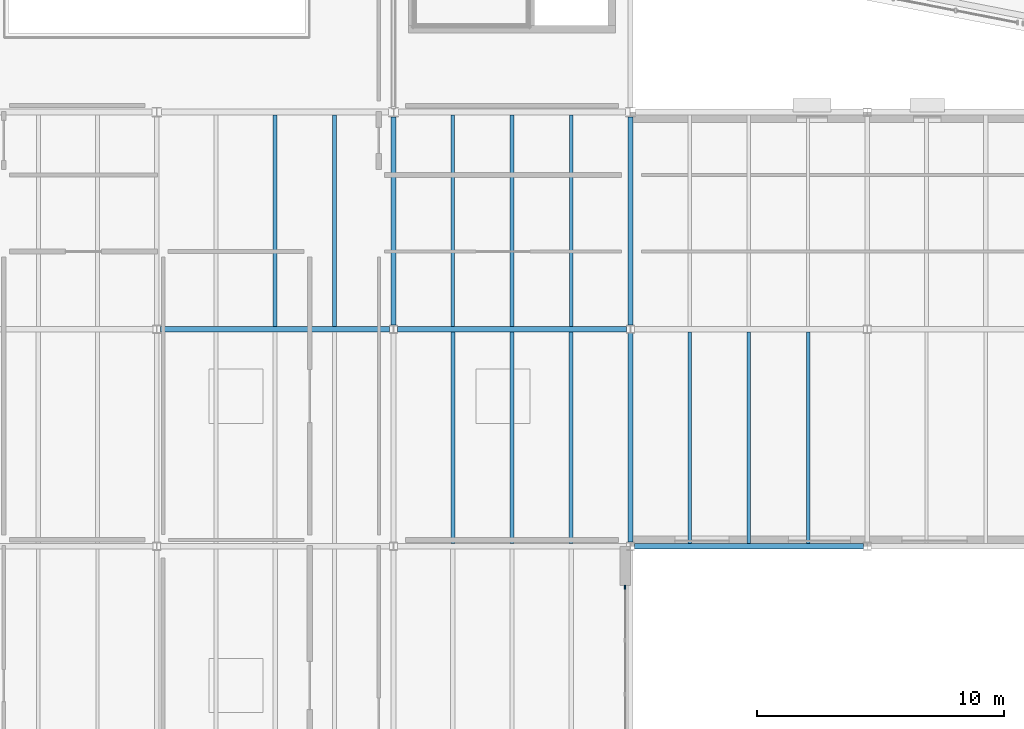
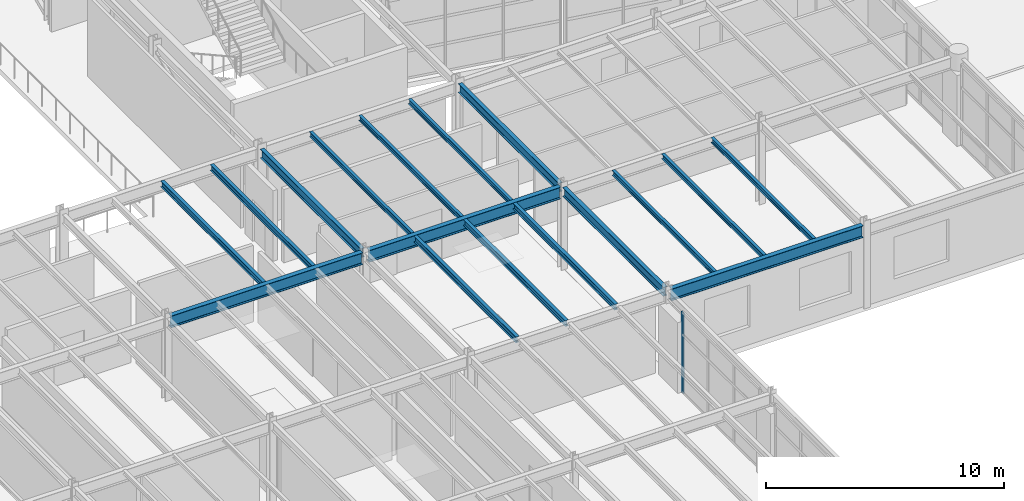
# One storey, part 27 of 77: 17 beams, 1 member, 1 element without a shape of its own.
"""IFC4 building model written with IfcOpenShell, lengths in metres."""

from ifc_helpers import new_model, si_unit, direction, frame, origin, origin_2d, place, context, subcontext, project, spatial, rectangle, i_section, extrude, material, material_profile, profile_set, type_object, element, aggregate, save


model = new_model("IFC4")

# Units and contexts
model_context = context("Model", 3, precision=1e-05, world=origin(), true_north=direction((0.0, 1.0)))
body_context = subcontext(model_context, "Body", "Model", "MODEL_VIEW")
ifc_project = project(units=[si_unit("LENGTHUNIT", "METRE"), si_unit("AREAUNIT", "SQUARE_METRE"), si_unit("VOLUMEUNIT", "CUBIC_METRE"), si_unit("PLANEANGLEUNIT", "RADIAN"), si_unit("MASSUNIT", "GRAM", prefix="KILO")], contexts=[model_context])

# Site, building, storey
site_placement = place(None, origin())
site = spatial("IfcSite", under=ifc_project, at=site_placement, CompositionType="ELEMENT")
building_placement = place(site_placement, origin())
building = spatial("IfcBuilding", under=site, at=building_placement, Name="Sarnbrook Museum", CompositionType="ELEMENT")
storey_placement = place(building_placement, frame((0.0, 0.0, 5.60009765625)))
storey = spatial("IfcBuildingStorey", under=building, at=storey_placement, Name="L01", CompositionType="ELEMENT", Elevation=5.60009765625)

# Beams
ifc_material_1 = material(Name="Structural Steel Grade 300PLUS (AS/NZS 3679.1, fy = 280 MPa for 17 < t <= 40 mm, 300 MPa for t <= 17 mm)", Category="steel")
ifc_material_profile_1 = material_profile(ifc_material_1, i_section(OverallWidth=0.18994140625, OverallDepth=0.45703125, WebThickness=0.009033203125, FlangeThickness=0.014404296875, FilletRadius=0.011474609375, at=origin_2d()), Name="460UB74.6")
ifc_profile_set_1 = profile_set([ifc_material_profile_1], Name="Structural Steel Grade 300PLUS (AS/NZS 3679.1, fy = 280 MPa for 17 < t <= 40 mm, 300 MPa for t <= 17 mm)")
beam_type_1 = type_object("IfcBeamType", Name="BM-UB460", PredefinedType="BEAM", material=ifc_profile_set_1)
beam_1_placement = place(storey_placement, frame((109.60009765625, 48.16357421875, 4.021484375), z_axis=(0.0, 1.0, 0.0), x_axis=(-1.0, 0.0, 0.0)))
element("IfcBeam", 1, at=beam_1_placement, inside=storey, type_object=beam_type_1, Name="Girder 12:F-G L01", PredefinedType="BEAM", context=body_context, shape_type="SweptSolid", body=[
    extrude(i_section(OverallWidth=0.18994140625, OverallDepth=0.45703125, WebThickness=0.009033203125, FlangeThickness=0.014404296875, FilletRadius=0.011474609375, at=origin_2d()), origin(), (0.0, 0.0, 1.0), 8.4453125),
])
beam_2_placement = place(storey_placement, frame((119.199951171875, 39.363525390625, 4.021484375), z_axis=(0.0, 1.0, 0.0), x_axis=(-1.0, 0.0, 0.0)))
element("IfcBeam", 2, at=beam_2_placement, inside=storey, type_object=beam_type_1, Name="Girder 13:E-F L01", PredefinedType="BEAM", context=body_context, shape_type="SweptSolid", body=[
    extrude(i_section(OverallWidth=0.18994140625, OverallDepth=0.45703125, WebThickness=0.009033203125, FlangeThickness=0.014404296875, FilletRadius=0.011474609375, at=origin_2d()), origin(), (0.0, 0.0, 1.0), 8.472900390625),
])
beam_3_placement = place(storey_placement, frame((119.199951171875, 48.16357421875, 4.021484375), z_axis=(0.0, 1.0, 0.0), x_axis=(-1.0, 0.0, 0.0)))
element("IfcBeam", 3, at=beam_3_placement, inside=storey, type_object=beam_type_1, Name="Girder 13:F-G L01", PredefinedType="BEAM", context=body_context, shape_type="SweptSolid", body=[
    extrude(i_section(OverallWidth=0.18994140625, OverallDepth=0.45703125, WebThickness=0.009033203125, FlangeThickness=0.014404296875, FilletRadius=0.011474609375, at=origin_2d()), origin(), (0.0, 0.0, 1.0), 8.4453125),
])
ifc_material_profile_2 = material_profile(ifc_material_1, i_section(OverallWidth=0.22802734375, OverallDepth=0.60693359375, WebThickness=0.01123046875, FlangeThickness=0.017333984375, FilletRadius=0.013916015625, at=origin_2d()), Name="610UB113")
ifc_profile_set_2 = profile_set([ifc_material_profile_2], Name="Structural Steel Grade 300PLUS (AS/NZS 3679.1, fy = 280 MPa for 17 < t <= 40 mm, 300 MPa for t <= 17 mm)")
beam_type_2 = type_object("IfcBeamType", Name="BM-UB610", PredefinedType="BEAM", material=ifc_profile_set_2)
for number, where, z_axis, x_axis, name in (
    (4, (119.35546875, 39.199951171875, 3.9462890625), (1.0, 0.0, 0.0), (0.0, 1.0, 0.0), "Girder E:13-14 L01"),
    (5, (100.155517578125, 48.0, 3.9462890625), (1.0, 0.0, 0.0), (0.0, 1.0, 0.0), "Girder F:11-12 L01"),
):
    element("IfcBeam", number, at=place(storey_placement, frame(where, z_axis=z_axis, x_axis=x_axis)), inside=storey, type_object=beam_type_2, Name=name, PredefinedType="BEAM", context=body_context, shape_type="SweptSolid", body=[
        extrude(i_section(OverallWidth=0.22802734375, OverallDepth=0.60693359375, WebThickness=0.01123046875, FlangeThickness=0.017333984375, FilletRadius=0.013916015625, at=origin_2d()), origin(), (0.0, 0.0, 1.0), 9.2890625),
    ])
beam_4_placement = place(storey_placement, frame((109.755615234375, 48.0, 3.9462890625), z_axis=(1.0, 0.0, 0.0), x_axis=(0.0, 1.0, 0.0)))
element("IfcBeam", 6, at=beam_4_placement, inside=storey, type_object=beam_type_2, Name="Girder F:12-13 L01", PredefinedType="BEAM", context=body_context, shape_type="SweptSolid", body=[
    extrude(i_section(OverallWidth=0.22802734375, OverallDepth=0.60693359375, WebThickness=0.01123046875, FlangeThickness=0.017333984375, FilletRadius=0.013916015625, at=origin_2d()), origin(), (0.0, 0.0, 1.0), 9.288818359375),
])

# Curtain wall, member
ifc_material_2 = material(Name="Thermally Broken Anodised Aluminium 6063-T6", Category="aluminium")
curtain_wall_type = type_object("IfcCurtainWallType", Name="CurtainWall_GalleryRibbon", PredefinedType="NOTDEFINED", material=ifc_material_2)
curtain_wall_placement = place(storey_placement, origin())
curtain_wall = element("IfcCurtainWall", 7, at=curtain_wall_placement, inside=storey, type_object=curtain_wall_type, Name="Gallery Ribbon Curtain Wall L01-2.2", PredefinedType="NOTDEFINED")
ifc_material_profile_3 = material_profile(ifc_material_2, rectangle(XDim=0.06005859375, YDim=0.159912109375, at=origin_2d()), Name="ALU MULLION 60x160")
ifc_profile_set_3 = profile_set([ifc_material_profile_3], Name="Thermally Broken Anodised Aluminium 6063-T6")
member_type = type_object("IfcMemberType", Name="CW_Mullion_150x65", PredefinedType="MULLION", material=ifc_profile_set_3)
member_placement = place(storey_placement, frame((118.989990234375, 37.5400390625, 0.0), z_axis=(0.0, 0.0, 1.0), x_axis=(1.0, 0.0, 0.0)))
member = element("IfcMember", 8, at=member_placement, type_object=member_type, Name="Gallery Ribbon Curtain Wall L01-2.2 Mullion 4", PredefinedType="MULLION", context=body_context, shape_type="SweptSolid", body=[
    extrude(rectangle(XDim=0.06005859375, YDim=0.159912109375, at=origin_2d()), origin(), (0.0, 0.0, 1.0), 4.159912109375),
])
aggregate(curtain_wall, [member])

# Beams
ifc_material_profile_4 = material_profile(ifc_material_1, i_section(OverallWidth=0.14599609375, OverallDepth=0.256103515625, WebThickness=0.00634765625, FlangeThickness=0.010986328125, FilletRadius=0.0087890625, at=origin_2d()), Name="250UB37.3")
ifc_profile_set_4 = profile_set([ifc_material_profile_4], Name="Structural Steel Grade 300PLUS (AS/NZS 3679.1, fy = 280 MPa for 17 < t <= 40 mm, 300 MPa for t <= 17 mm)")
beam_type_3 = type_object("IfcBeamType", Name="JS-UB250", PredefinedType="JOIST", material=ifc_profile_set_4)
for number, where, z_axis, x_axis, name in (
    (9, (112.0, 48.114013671875, 4.121826171875), (0.0, 1.0, 0.0), (-1.0, 0.0, 0.0), "Composite Floor Joist 12F-1 L01"),
    (10, (114.39990234375, 48.114013671875, 4.121826171875), (0.0, 1.0, 0.0), (-1.0, 0.0, 0.0), "Composite Floor Joist 12F-2 L01"),
    (11, (116.800048828125, 48.114013671875, 4.121826171875), (0.0, 1.0, 0.0), (-1.0, 0.0, 0.0), "Composite Floor Joist 12F-3 L01"),
    (12, (121.60009765625, 39.31396484375, 4.121826171875), (0.0, 1.0, 0.0), (-1.0, 0.0, 0.0), "Composite Floor Joist 13E-1 L01"),
    (13, (124.0, 39.31396484375, 4.121826171875), (0.0, 1.0, 0.0), (-1.0, 0.0, 0.0), "Composite Floor Joist 13E-2 L01"),
    (14, (126.39990234375, 39.31396484375, 4.121826171875), (0.0, 1.0, 0.0), (-1.0, 0.0, 0.0), "Composite Floor Joist 13E-3 L01"),
):
    element("IfcBeam", number, at=place(storey_placement, frame(where, z_axis=z_axis, x_axis=x_axis)), inside=storey, type_object=beam_type_3, Name=name, PredefinedType="JOIST", context=body_context, shape_type="SweptSolid", body=[
        extrude(i_section(OverallWidth=0.14599609375, OverallDepth=0.256103515625, WebThickness=0.00634765625, FlangeThickness=0.010986328125, FilletRadius=0.0087890625, at=origin_2d()), origin(), (0.0, 0.0, 1.0), 8.572021484375),
    ])
ifc_material_profile_5 = material_profile(ifc_material_1, i_section(OverallWidth=0.1650390625, OverallDepth=0.303955078125, WebThickness=0.006103515625, FlangeThickness=0.01025390625, FilletRadius=0.011474609375, at=origin_2d()), Name="310UB40.4")
ifc_profile_set_5 = profile_set([ifc_material_profile_5], Name="Structural Steel Grade 300PLUS (AS/NZS 3679.1, fy = 280 MPa for 17 < t <= 40 mm, 300 MPa for t <= 17 mm)")
beam_type_4 = type_object("IfcBeamType", Name="JS-UB310", PredefinedType="JOIST", material=ifc_profile_set_5)
for number, where, z_axis, x_axis, name in (
    (15, (104.800048828125, 48.114013671875, 4.097900390625), (0.0, 1.0, 0.0), (-1.0, 0.0, 0.0), "Composite Floor Joist 11F-2 L01"),
    (16, (107.199951171875, 48.114013671875, 4.097900390625), (0.0, 1.0, 0.0), (-1.0, 0.0, 0.0), "Composite Floor Joist 11F-3 L01"),
    (17, (112.0, 39.31396484375, 4.097900390625), (0.0, 1.0, 0.0), (-1.0, 0.0, 0.0), "Composite Floor Joist 12E-1 L01"),
    (18, (114.39990234375, 39.31396484375, 4.097900390625), (0.0, 1.0, 0.0), (-1.0, 0.0, 0.0), "Composite Floor Joist 12E-2 L01"),
    (19, (116.800048828125, 39.31396484375, 4.097900390625), (0.0, 1.0, 0.0), (-1.0, 0.0, 0.0), "Composite Floor Joist 12E-3 L01"),
):
    element("IfcBeam", number, at=place(storey_placement, frame(where, z_axis=z_axis, x_axis=x_axis)), inside=storey, type_object=beam_type_4, Name=name, PredefinedType="JOIST", context=body_context, shape_type="SweptSolid", body=[
        extrude(i_section(OverallWidth=0.1650390625, OverallDepth=0.303955078125, WebThickness=0.006103515625, FlangeThickness=0.01025390625, FilletRadius=0.011474609375, at=origin_2d()), origin(), (0.0, 0.0, 1.0), 8.572021484375),
    ])

save(model, "model.ifc")
